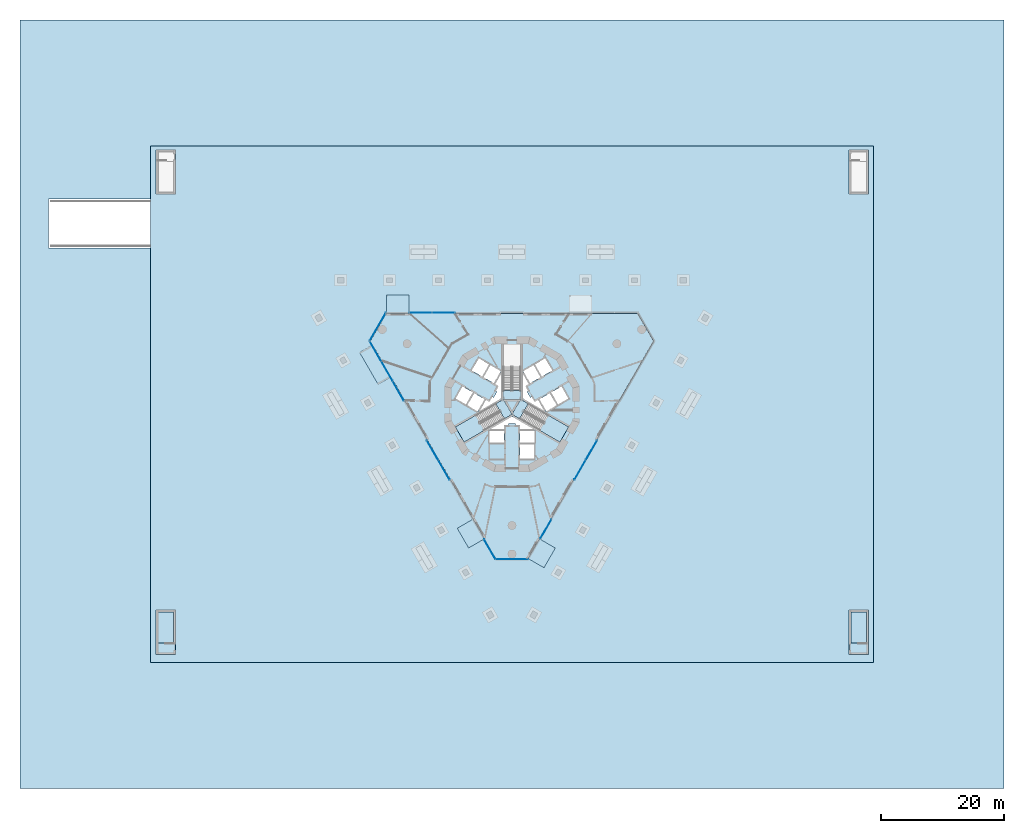
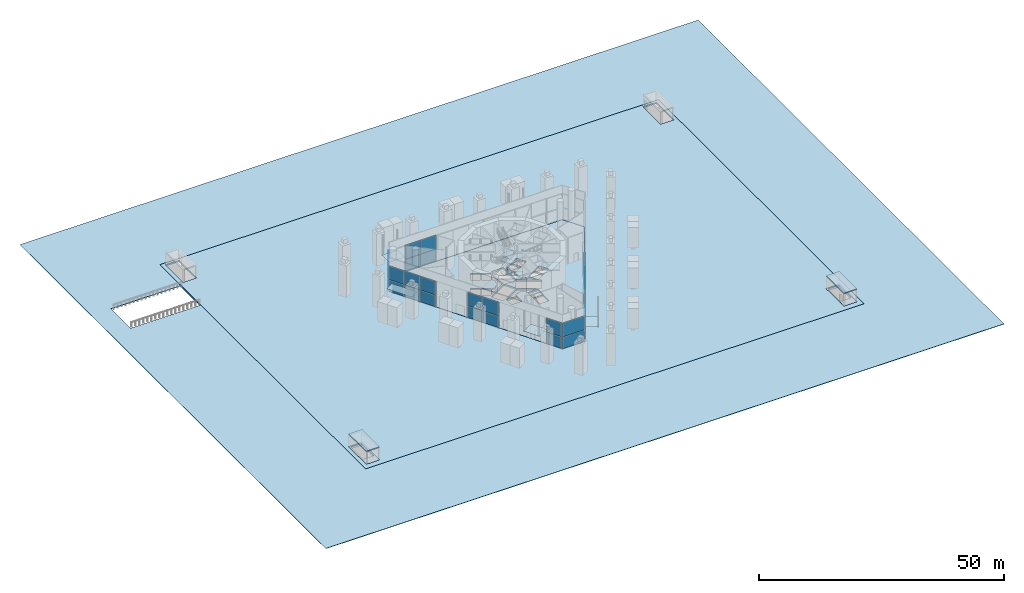
# One storey, part 4 of 26: 30 plates, 17 slabs, 11 elements without a shape of their own.
"""IFC4 building model written with IfcOpenShell, lengths in metres."""

from ifc_helpers import new_model, si_unit, direction, frame, origin, origin_2d, place, context, subcontext, project, spatial, polyline, rectangle, outline, extrude, material, layer, layer_set, type_object, element, aggregate, save


model = new_model("IFC4")

# Units and contexts
model_context = context("Model", 3, precision=1e-05, world=origin(), true_north=direction((0.0, 1.0)))
body_context = subcontext(model_context, "Body", "Model", "MODEL_VIEW")
ifc_project = project(units=[si_unit("LENGTHUNIT", "METRE"), si_unit("AREAUNIT", "SQUARE_METRE"), si_unit("VOLUMEUNIT", "CUBIC_METRE"), si_unit("PLANEANGLEUNIT", "RADIAN"), si_unit("MASSUNIT", "GRAM", prefix="KILO")], contexts=[model_context])

# Site, building, storey
site_placement = place(None, origin())
site = spatial("IfcSite", under=ifc_project, at=site_placement, CompositionType="ELEMENT")
building_placement = place(site_placement, origin())
building = spatial("IfcBuilding", under=site, at=building_placement, Name="Trine Commons Tower", CompositionType="ELEMENT")
storey_placement = place(building_placement, origin())
storey = spatial("IfcBuildingStorey", under=building, at=storey_placement, Name="L00", CompositionType="ELEMENT", Elevation=0.0)

# Plates
ifc_material_1 = material(Name="Polycarbonate roof sheet")
ifc_layer_1 = layer(ifc_material_1, 0.02001953125)
ifc_layer_set_1 = layer_set([ifc_layer_1], Name="Polycarbonate roof sheet")
plate_type_1 = type_object("IfcPlateType", Name="Cycle shelter roof plate 20", PredefinedType="SHEET", material=ifc_layer_set_1)
plate_1_placement = place(storey_placement, frame((57.6767578125, 68.8955078125, 2.39990234375), z_axis=(0.0, 0.0, 1.0), x_axis=(-0.5, 0.866025403784, 0.0)))
element("IfcPlate", 1, at=plate_1_placement, inside=storey, type_object=plate_type_1, Name="Cycle shelter 1 roof", PredefinedType="SHEET", context=body_context, shape_type="SweptSolid", body=[
    extrude(rectangle(XDim=6.0, YDim=2.199951171875, at=origin_2d()), origin(), (0.0, 0.0, 1.0), 0.02001953125),
])
ifc_material_2 = material(Name="Laminated glass canopy plate", Category="glass")
ifc_layer_2 = layer(ifc_material_2, 0.030029296875)
ifc_layer_set_2 = layer_set([ifc_layer_2], Name="Laminated glass canopy plate")
plate_type_2 = type_object("IfcPlateType", Name="Entrance canopy glass 30", PredefinedType="SHEET", material=ifc_layer_set_2)
for number, where, z_axis, x_axis, name in (
    (2, (84.824951171875, 38.287841796875, 3.60009765625), (0.0, 0.0, 1.0), (-0.5, -0.866025403784, 0.0), "Entrance canopy E2"),
    (3, (73.319580078125, 41.501708984375, 3.60009765625), (0.0, 0.0, 1.0), (-0.5, 0.866025403784, 0.0), "Entrance canopy E3"),
    (4, (61.444091796875, 78.78466796875, 3.60009765625), (0.0, 0.0, 1.0), (1.0, 0.0, 0.0), "Entrance canopy E4"),
):
    element("IfcPlate", number, at=place(storey_placement, frame(where, z_axis=z_axis, x_axis=x_axis)), inside=storey, type_object=plate_type_2, Name=name, PredefinedType="SHEET", context=body_context, shape_type="SweptSolid", body=[
        extrude(rectangle(XDim=3.691162109375, YDim=3.0, at=origin_2d()), origin(), (0.0, 0.0, 1.0), 0.030029296875),
    ])

# Slabs
ifc_material_3 = material(Name="Concrete C50/60", Category="concrete")
ifc_layer_3 = layer(ifc_material_3, 0.39990234375)
ifc_layer_set_3 = layer_set([ifc_layer_3], Name="Concrete C50/60")
slab_type_1 = type_object("IfcSlabType", Name="Ground slab 400 mm, C50/60", PredefinedType="FLOOR", material=ifc_layer_set_3)
slab_1_placement = place(storey_placement, frame((0.0, 0.0, -0.39990234375)))
element("IfcSlab", 5, at=slab_1_placement, inside=storey, type_object=slab_type_1, Name="Ground slab (pavilion)", PredefinedType="FLOOR", context=body_context, shape_type="SweptSolid", body=[
    extrude(outline(polyline([(100.41162109375, 77.28466796875), (103.009521484375, 72.78466796875), (82.59814453125, 37.430908203125), (77.40185546875, 37.430908203125), (56.990478515625, 72.78466796875), (59.58837890625, 77.28466796875), (100.41162109375, 77.28466796875)]), holes=[polyline([(76.300048828125, 56.25), (78.699951171875, 56.25), (78.699951171875, 58.25), (76.300048828125, 58.25), (76.300048828125, 56.25)]), polyline([(81.14990234375, 59.10009765625), (81.300048828125, 58.449951171875), (83.56494140625, 58.449951171875), (80.0, 60.508056640625), (76.43505859375, 58.449951171875), (78.699951171875, 58.449951171875), (78.85009765625, 59.10009765625), (79.449951171875, 59.10009765625), (79.449951171875, 59.360107421875), (80.550048828125, 59.360107421875), (80.550048828125, 59.10009765625), (81.14990234375, 59.10009765625)]), polyline([(80.0, 60.8544921875), (84.4755859375, 58.2705078125), (85.900390625, 60.73876953125), (81.425048828125, 63.32275390625), (81.425048828125, 68.490478515625), (78.574951171875, 68.490478515625), (78.574951171875, 63.32275390625), (74.099609375, 60.73876953125), (75.5244140625, 58.2705078125), (80.0, 60.8544921875)]), polyline([(73.83740234375, 64.325927734375), (72.687255859375, 62.333984375), (74.41943359375, 61.333984375), (75.5693359375, 63.325927734375), (73.83740234375, 64.325927734375)]), polyline([(71.93212890625, 65.426025390625), (70.781982421875, 63.43408203125), (72.51416015625, 62.43408203125), (73.6640625, 64.426025390625), (71.93212890625, 65.426025390625)]), polyline([(76.781005859375, 63.722900390625), (76.381103515625, 63.031005859375), (75.742919921875, 63.22607421875), (74.7099609375, 61.43798828125), (78.27490234375, 63.49609375), (78.27490234375, 67.612060546875), (77.242919921875, 65.823974609375), (77.73095703125, 65.368896484375), (77.3310546875, 64.676025390625), (77.555908203125, 64.5458984375), (77.006103515625, 63.593994140625), (76.781005859375, 63.722900390625)]), polyline([(76.4873046875, 68.916015625), (75.33740234375, 66.924072265625), (77.0693359375, 65.924072265625), (78.219482421875, 67.916015625), (76.4873046875, 68.916015625)]), polyline([(74.58203125, 70.015869140625), (73.43212890625, 68.02392578125), (75.1640625, 67.02392578125), (76.314208984375, 69.015869140625), (74.58203125, 70.015869140625)]), polyline([(81.300048828125, 53.64990234375), (83.60009765625, 53.64990234375), (83.60009765625, 56.050048828125), (81.300048828125, 56.050048828125), (81.300048828125, 53.64990234375)]), polyline([(81.300048828125, 56.25), (83.699951171875, 56.25), (83.699951171875, 58.25), (81.300048828125, 58.25), (81.300048828125, 56.25)]), polyline([(87.312744140625, 62.333984375), (86.16259765625, 64.325927734375), (84.4306640625, 63.325927734375), (85.58056640625, 61.333984375), (87.312744140625, 62.333984375)]), polyline([(89.218017578125, 63.43408203125), (88.06787109375, 65.426025390625), (86.3359375, 64.426025390625), (87.48583984375, 62.43408203125), (89.218017578125, 63.43408203125)]), polyline([(83.243896484375, 63.738037109375), (82.993896484375, 63.593994140625), (82.444091796875, 64.5458984375), (82.72705078125, 64.7099609375), (82.281005859375, 65.549072265625), (82.757080078125, 65.823974609375), (81.72509765625, 67.612060546875), (81.72509765625, 63.49609375), (85.2900390625, 61.43798828125), (84.257080078125, 63.22607421875), (83.618896484375, 63.031005859375), (83.243896484375, 63.738037109375)]), polyline([(82.9306640625, 65.924072265625), (84.66259765625, 66.924072265625), (83.5126953125, 68.916015625), (81.780517578125, 67.916015625), (82.9306640625, 65.924072265625)]), polyline([(84.8359375, 67.02392578125), (86.56787109375, 68.02392578125), (85.41796875, 70.015869140625), (83.685791015625, 69.015869140625), (84.8359375, 67.02392578125)])]), origin(), (0.0, 0.0, 1.0), 0.39990234375),
])
slab_2_placement = place(storey_placement, frame((0.0, 0.0, -0.39990234375)))
element("IfcSlab", 6, at=slab_2_placement, inside=storey, type_object=slab_type_1, Name="Ground slab (pavilion)", PredefinedType="FLOOR", context=body_context, shape_type="SweptSolid", body=[
    extrude(outline(polyline([(81.38671875, 63.300537109375), (80.0, 60.89892578125), (78.61328125, 63.300537109375), (81.38671875, 63.300537109375)])), origin(), (0.0, 0.0, 1.0), 0.39990234375),
])

# Curtain wall, plates
ifc_material_4 = material(Name="Ground pavilion glazing: stainless steel grade 1.4401 (aisi 316) frame with laminated low-iron glass unit", Category="steel")
ifc_layer_4 = layer(ifc_material_4, 0.25)
ifc_layer_set_4 = layer_set([ifc_layer_4], Name="Ground pavilion glazing: stainless steel grade 1.4401 (aisi 316) frame with laminated low-iron glass unit")
curtain_wall_type = type_object("IfcCurtainWallType", Name="Ground pavilion glazing curtain wall CW4", PredefinedType="NOTDEFINED", material=ifc_layer_set_4)
curtain_wall_1_placement = place(storey_placement, origin())
curtain_wall_1 = element("IfcCurtainWall", 7, at=curtain_wall_1_placement, inside=storey, type_object=curtain_wall_type, Name="Pavilion glazing C1.1", PredefinedType="NOTDEFINED")
ifc_material_5 = material(Name="Laminated low-iron glass unit", Category="glass")
ifc_layer_5 = layer(ifc_material_5, 0.035888671875)
ifc_layer_set_5 = layer_set([ifc_layer_5], Name="Laminated low-iron glass unit")
plate_type_3 = type_object("IfcPlateType", Name="Laminated glazed unit 36 mm", PredefinedType="CURTAIN_PANEL", material=ifc_layer_set_5)
plate_2_placement = place(storey_placement, frame((58.18115234375, 75.09716796875, 0.08984375), z_axis=(0.0, 0.0, 1.0), x_axis=(0.5, 0.866025403784, 0.0)))
plate_2 = element("IfcPlate", 8, at=plate_2_placement, type_object=plate_type_3, Name="CW4 panel 1.1", PredefinedType="CURTAIN_PANEL", context=body_context, shape_type="SweptSolid", body=[
    extrude(rectangle(XDim=5.220458984375, YDim=0.035888671875, at=origin_2d()), origin(), (0.0, 0.0, 1.0), 2.864990234375),
])
plate_3_placement = place(storey_placement, frame((58.18115234375, 75.09716796875, 3.044921875), z_axis=(0.0, 0.0, 1.0), x_axis=(0.5, 0.866025403784, 0.0)))
plate_3 = element("IfcPlate", 9, at=plate_3_placement, type_object=plate_type_3, Name="CW4 panel 1.2", PredefinedType="CURTAIN_PANEL", context=body_context, shape_type="SweptSolid", body=[
    extrude(rectangle(XDim=5.220458984375, YDim=0.035888671875, at=origin_2d()), origin(), (0.0, 0.0, 1.0), 3.465087890625),
])
aggregate(curtain_wall_1, [plate_2, plate_3])

curtain_wall_2_placement = place(storey_placement, origin())
curtain_wall_2 = element("IfcCurtainWall", 10, at=curtain_wall_2_placement, inside=storey, type_object=curtain_wall_type, Name="Pavilion glazing F1.1", PredefinedType="NOTDEFINED")
plate_4_placement = place(storey_placement, frame((65.170166015625, 77.40966796875, 0.08984375), z_axis=(0.0, 0.0, 1.0), x_axis=(1.0, 0.0, 0.0)))
plate_4 = element("IfcPlate", 11, at=plate_4_placement, type_object=plate_type_3, Name="CW4 panel 1.1", PredefinedType="CURTAIN_PANEL", context=body_context, shape_type="SweptSolid", body=[
    extrude(rectangle(XDim=3.62109375, YDim=0.035888671875, at=origin_2d()), origin(), (0.0, 0.0, 1.0), 2.864990234375),
])
plate_5_placement = place(storey_placement, frame((65.170166015625, 77.40966796875, 3.044921875), z_axis=(0.0, 0.0, 1.0), x_axis=(1.0, 0.0, 0.0)))
plate_5 = element("IfcPlate", 12, at=plate_5_placement, type_object=plate_type_3, Name="CW4 panel 1.2", PredefinedType="CURTAIN_PANEL", context=body_context, shape_type="SweptSolid", body=[
    extrude(rectangle(XDim=3.62109375, YDim=0.035888671875, at=origin_2d()), origin(), (0.0, 0.0, 1.0), 3.465087890625),
])
plate_6_placement = place(storey_placement, frame((68.851318359375, 77.40966796875, 0.08984375), z_axis=(0.0, 0.0, 1.0), x_axis=(1.0, 0.0, 0.0)))
plate_6 = element("IfcPlate", 13, at=plate_6_placement, type_object=plate_type_3, Name="CW4 panel 2.1", PredefinedType="CURTAIN_PANEL", context=body_context, shape_type="SweptSolid", body=[
    extrude(rectangle(XDim=3.62109375, YDim=0.035888671875, at=origin_2d()), origin(), (0.0, 0.0, 1.0), 2.864990234375),
])
plate_7_placement = place(storey_placement, frame((68.851318359375, 77.40966796875, 3.044921875), z_axis=(0.0, 0.0, 1.0), x_axis=(1.0, 0.0, 0.0)))
plate_7 = element("IfcPlate", 14, at=plate_7_placement, type_object=plate_type_3, Name="CW4 panel 2.2", PredefinedType="CURTAIN_PANEL", context=body_context, shape_type="SweptSolid", body=[
    extrude(rectangle(XDim=3.62109375, YDim=0.035888671875, at=origin_2d()), origin(), (0.0, 0.0, 1.0), 3.465087890625),
])
aggregate(curtain_wall_2, [plate_4, plate_5, plate_6, plate_7])

curtain_wall_3_placement = place(storey_placement, origin())
curtain_wall_3 = element("IfcCurtainWall", 15, at=curtain_wall_3_placement, inside=storey, type_object=curtain_wall_type, Name="Pavilion glazing F2.2", PredefinedType="NOTDEFINED")
plate_8_placement = place(storey_placement, frame((92.904541015625, 55.0322265625, 0.08984375), z_axis=(0.0, 0.0, 1.0), x_axis=(-0.5, -0.866025403784, 0.0)))
plate_8 = element("IfcPlate", 16, at=plate_8_placement, type_object=plate_type_3, Name="CW4 panel 1.1", PredefinedType="CURTAIN_PANEL", context=body_context, shape_type="SweptSolid", body=[
    extrude(rectangle(XDim=3.62109375, YDim=0.035888671875, at=origin_2d()), origin(), (0.0, 0.0, 1.0), 2.864990234375),
])
plate_9_placement = place(storey_placement, frame((92.904541015625, 55.0322265625, 3.044921875), z_axis=(0.0, 0.0, 1.0), x_axis=(-0.5, -0.866025403784, 0.0)))
plate_9 = element("IfcPlate", 17, at=plate_9_placement, type_object=plate_type_3, Name="CW4 panel 1.2", PredefinedType="CURTAIN_PANEL", context=body_context, shape_type="SweptSolid", body=[
    extrude(rectangle(XDim=3.62109375, YDim=0.035888671875, at=origin_2d()), origin(), (0.0, 0.0, 1.0), 3.465087890625),
])
plate_10_placement = place(storey_placement, frame((91.06396484375, 51.84423828125, 0.08984375), z_axis=(0.0, 0.0, 1.0), x_axis=(-0.5, -0.866025403784, 0.0)))
plate_10 = element("IfcPlate", 18, at=plate_10_placement, type_object=plate_type_3, Name="CW4 panel 2.1", PredefinedType="CURTAIN_PANEL", context=body_context, shape_type="SweptSolid", body=[
    extrude(rectangle(XDim=3.62109375, YDim=0.035888671875, at=origin_2d()), origin(), (0.0, 0.0, 1.0), 2.864990234375),
])
plate_11_placement = place(storey_placement, frame((91.06396484375, 51.84423828125, 3.044921875), z_axis=(0.0, 0.0, 1.0), x_axis=(-0.5, -0.866025403784, 0.0)))
plate_11 = element("IfcPlate", 19, at=plate_11_placement, type_object=plate_type_3, Name="CW4 panel 2.2", PredefinedType="CURTAIN_PANEL", context=body_context, shape_type="SweptSolid", body=[
    extrude(rectangle(XDim=3.62109375, YDim=0.035888671875, at=origin_2d()), origin(), (0.0, 0.0, 1.0), 3.465087890625),
])
aggregate(curtain_wall_3, [plate_8, plate_9, plate_10, plate_11])

curtain_wall_4_placement = place(storey_placement, origin())
curtain_wall_4 = element("IfcCurtainWall", 20, at=curtain_wall_4_placement, inside=storey, type_object=curtain_wall_type, Name="Pavilion glazing F2.3", PredefinedType="NOTDEFINED")
plate_12_placement = place(storey_placement, frame((85.48974609375, 42.189208984375, 0.08984375), z_axis=(0.0, 0.0, 1.0), x_axis=(-0.5, -0.866025403784, 0.0)))
plate_12 = element("IfcPlate", 21, at=plate_12_placement, type_object=plate_type_3, Name="CW4 panel 1.1", PredefinedType="CURTAIN_PANEL", context=body_context, shape_type="SweptSolid", body=[
    extrude(rectangle(XDim=3.59130859375, YDim=0.035888671875, at=origin_2d()), origin(), (0.0, 0.0, 1.0), 2.864990234375),
])
plate_13_placement = place(storey_placement, frame((85.48974609375, 42.189208984375, 3.044921875), z_axis=(0.0, 0.0, 1.0), x_axis=(-0.5, -0.866025403784, 0.0)))
plate_13 = element("IfcPlate", 22, at=plate_13_placement, type_object=plate_type_3, Name="CW4 panel 1.2", PredefinedType="CURTAIN_PANEL", context=body_context, shape_type="SweptSolid", body=[
    extrude(rectangle(XDim=3.59130859375, YDim=0.035888671875, at=origin_2d()), origin(), (0.0, 0.0, 1.0), 3.465087890625),
])
aggregate(curtain_wall_4, [plate_12, plate_13])

curtain_wall_5_placement = place(storey_placement, origin())
curtain_wall_5 = element("IfcCurtainWall", 23, at=curtain_wall_5_placement, inside=storey, type_object=curtain_wall_type, Name="Pavilion glazing C3.1", PredefinedType="NOTDEFINED")
plate_14_placement = place(storey_placement, frame((80.0, 37.305908203125, 0.08984375), z_axis=(0.0, 0.0, 1.0), x_axis=(-1.0, 0.0, 0.0)))
plate_14 = element("IfcPlate", 24, at=plate_14_placement, type_object=plate_type_3, Name="CW4 panel 1.1", PredefinedType="CURTAIN_PANEL", context=body_context, shape_type="SweptSolid", body=[
    extrude(rectangle(XDim=5.220458984375, YDim=0.035888671875, at=origin_2d()), origin(), (0.0, 0.0, 1.0), 2.864990234375),
])
plate_15_placement = place(storey_placement, frame((80.0, 37.305908203125, 3.044921875), z_axis=(0.0, 0.0, 1.0), x_axis=(-1.0, 0.0, 0.0)))
plate_15 = element("IfcPlate", 25, at=plate_15_placement, type_object=plate_type_3, Name="CW4 panel 1.2", PredefinedType="CURTAIN_PANEL", context=body_context, shape_type="SweptSolid", body=[
    extrude(rectangle(XDim=5.220458984375, YDim=0.035888671875, at=origin_2d()), origin(), (0.0, 0.0, 1.0), 3.465087890625),
])
aggregate(curtain_wall_5, [plate_14, plate_15])

curtain_wall_6_placement = place(storey_placement, origin())
curtain_wall_6 = element("IfcCurtainWall", 26, at=curtain_wall_6_placement, inside=storey, type_object=curtain_wall_type, Name="Pavilion glazing F3.1", PredefinedType="NOTDEFINED")
plate_16_placement = place(storey_placement, frame((76.3837890625, 38.944091796875, 0.08984375), z_axis=(0.0, 0.0, 1.0), x_axis=(-0.5, 0.866025403784, 0.0)))
plate_16 = element("IfcPlate", 27, at=plate_16_placement, type_object=plate_type_3, Name="CW4 panel 1.1", PredefinedType="CURTAIN_PANEL", context=body_context, shape_type="SweptSolid", body=[
    extrude(rectangle(XDim=3.663330078125, YDim=0.035888671875, at=origin_2d()), origin(), (0.0, 0.0, 1.0), 2.864990234375),
])
plate_17_placement = place(storey_placement, frame((76.3837890625, 38.944091796875, 3.044921875), z_axis=(0.0, 0.0, 1.0), x_axis=(-0.5, 0.866025403784, 0.0)))
plate_17 = element("IfcPlate", 28, at=plate_17_placement, type_object=plate_type_3, Name="CW4 panel 1.2", PredefinedType="CURTAIN_PANEL", context=body_context, shape_type="SweptSolid", body=[
    extrude(rectangle(XDim=3.663330078125, YDim=0.035888671875, at=origin_2d()), origin(), (0.0, 0.0, 1.0), 3.465087890625),
])
aggregate(curtain_wall_6, [plate_16, plate_17])

curtain_wall_7_placement = place(storey_placement, origin())
curtain_wall_7 = element("IfcCurtainWall", 29, at=curtain_wall_7_placement, inside=storey, type_object=curtain_wall_type, Name="Pavilion glazing F3.2", PredefinedType="NOTDEFINED")
plate_18_placement = place(storey_placement, frame((68.93603515625, 51.84423828125, 0.08984375), z_axis=(0.0, 0.0, 1.0), x_axis=(-0.5, 0.866025403784, 0.0)))
plate_18 = element("IfcPlate", 30, at=plate_18_placement, type_object=plate_type_3, Name="CW4 panel 1.1", PredefinedType="CURTAIN_PANEL", context=body_context, shape_type="SweptSolid", body=[
    extrude(rectangle(XDim=3.62109375, YDim=0.035888671875, at=origin_2d()), origin(), (0.0, 0.0, 1.0), 2.864990234375),
])
plate_19_placement = place(storey_placement, frame((68.93603515625, 51.84423828125, 3.044921875), z_axis=(0.0, 0.0, 1.0), x_axis=(-0.5, 0.866025403784, 0.0)))
plate_19 = element("IfcPlate", 31, at=plate_19_placement, type_object=plate_type_3, Name="CW4 panel 1.2", PredefinedType="CURTAIN_PANEL", context=body_context, shape_type="SweptSolid", body=[
    extrude(rectangle(XDim=3.62109375, YDim=0.035888671875, at=origin_2d()), origin(), (0.0, 0.0, 1.0), 3.465087890625),
])
plate_20_placement = place(storey_placement, frame((67.095458984375, 55.0322265625, 0.08984375), z_axis=(0.0, 0.0, 1.0), x_axis=(-0.5, 0.866025403784, 0.0)))
plate_20 = element("IfcPlate", 32, at=plate_20_placement, type_object=plate_type_3, Name="CW4 panel 2.1", PredefinedType="CURTAIN_PANEL", context=body_context, shape_type="SweptSolid", body=[
    extrude(rectangle(XDim=3.62109375, YDim=0.035888671875, at=origin_2d()), origin(), (0.0, 0.0, 1.0), 2.864990234375),
])
plate_21_placement = place(storey_placement, frame((67.095458984375, 55.0322265625, 3.044921875), z_axis=(0.0, 0.0, 1.0), x_axis=(-0.5, 0.866025403784, 0.0)))
plate_21 = element("IfcPlate", 33, at=plate_21_placement, type_object=plate_type_3, Name="CW4 panel 2.2", PredefinedType="CURTAIN_PANEL", context=body_context, shape_type="SweptSolid", body=[
    extrude(rectangle(XDim=3.62109375, YDim=0.035888671875, at=origin_2d()), origin(), (0.0, 0.0, 1.0), 3.465087890625),
])
aggregate(curtain_wall_7, [plate_18, plate_19, plate_20, plate_21])

curtain_wall_8_placement = place(storey_placement, origin())
curtain_wall_8 = element("IfcCurtainWall", 34, at=curtain_wall_8_placement, inside=storey, type_object=curtain_wall_type, Name="Pavilion glazing F3.3", PredefinedType="NOTDEFINED")
plate_22_placement = place(storey_placement, frame((61.513671875, 64.7001953125, 0.08984375), z_axis=(0.0, 0.0, 1.0), x_axis=(-0.5, 0.866025403784, 0.0)))
plate_22 = element("IfcPlate", 35, at=plate_22_placement, type_object=plate_type_3, Name="CW4 panel 1.1", PredefinedType="CURTAIN_PANEL", context=body_context, shape_type="SweptSolid", body=[
    extrude(rectangle(XDim=3.62109375, YDim=0.035888671875, at=origin_2d()), origin(), (0.0, 0.0, 1.0), 2.864990234375),
])
plate_23_placement = place(storey_placement, frame((61.513671875, 64.7001953125, 3.044921875), z_axis=(0.0, 0.0, 1.0), x_axis=(-0.5, 0.866025403784, 0.0)))
plate_23 = element("IfcPlate", 36, at=plate_23_placement, type_object=plate_type_3, Name="CW4 panel 1.2", PredefinedType="CURTAIN_PANEL", context=body_context, shape_type="SweptSolid", body=[
    extrude(rectangle(XDim=3.62109375, YDim=0.035888671875, at=origin_2d()), origin(), (0.0, 0.0, 1.0), 3.465087890625),
])
plate_24_placement = place(storey_placement, frame((59.66552734375, 67.901123046875, 0.08984375), z_axis=(0.0, 0.0, 1.0), x_axis=(-0.5, 0.866025403784, 0.0)))
plate_24 = element("IfcPlate", 37, at=plate_24_placement, type_object=plate_type_3, Name="CW4 panel 2.1", PredefinedType="CURTAIN_PANEL", context=body_context, shape_type="SweptSolid", body=[
    extrude(rectangle(XDim=3.651123046875, YDim=0.035888671875, at=origin_2d()), origin(), (0.0, 0.0, 1.0), 2.864990234375),
])
plate_25_placement = place(storey_placement, frame((59.66552734375, 67.901123046875, 3.044921875), z_axis=(0.0, 0.0, 1.0), x_axis=(-0.5, 0.866025403784, 0.0)))
plate_25 = element("IfcPlate", 38, at=plate_25_placement, type_object=plate_type_3, Name="CW4 panel 2.2", PredefinedType="CURTAIN_PANEL", context=body_context, shape_type="SweptSolid", body=[
    extrude(rectangle(XDim=3.651123046875, YDim=0.035888671875, at=origin_2d()), origin(), (0.0, 0.0, 1.0), 3.465087890625),
])
plate_26_placement = place(storey_placement, frame((57.79931640625, 71.13330078125, 0.08984375), z_axis=(0.0, 0.0, 1.0), x_axis=(-0.5, 0.866025403784, 0.0)))
plate_26 = element("IfcPlate", 39, at=plate_26_placement, type_object=plate_type_3, Name="CW4 panel 3.1", PredefinedType="CURTAIN_PANEL", context=body_context, shape_type="SweptSolid", body=[
    extrude(rectangle(XDim=3.693359375, YDim=0.035888671875, at=origin_2d()), origin(), (0.0, 0.0, 1.0), 2.864990234375),
])
plate_27_placement = place(storey_placement, frame((57.79931640625, 71.13330078125, 3.044921875), z_axis=(0.0, 0.0, 1.0), x_axis=(-0.5, 0.866025403784, 0.0)))
plate_27 = element("IfcPlate", 40, at=plate_27_placement, type_object=plate_type_3, Name="CW4 panel 3.2", PredefinedType="CURTAIN_PANEL", context=body_context, shape_type="SweptSolid", body=[
    extrude(rectangle(XDim=3.693359375, YDim=0.035888671875, at=origin_2d()), origin(), (0.0, 0.0, 1.0), 3.465087890625),
])
aggregate(curtain_wall_8, [plate_22, plate_23, plate_24, plate_25, plate_26, plate_27])

# Slabs
ifc_layer_6 = layer(ifc_material_3, 0.300048828125)
ifc_layer_set_6 = layer_set([ifc_layer_6], Name="Concrete C50/60")
slab_type_2 = type_object("IfcSlabType", Name="Plaza deck slab 300 mm, C50/60", PredefinedType="FLOOR", material=ifc_layer_set_6)
slab_3_placement = place(storey_placement, frame((0.0, 0.0, -0.39990234375)))
element("IfcSlab", 41, at=slab_3_placement, inside=storey, type_object=slab_type_2, Name="Plaza deck slab", PredefinedType="FLOOR", context=body_context, shape_type="SweptSolid", body=[
    extrude(outline(polyline([(21.199951171875, 20.5), (21.199951171875, 104.5), (138.800048828125, 104.5), (138.800048828125, 20.5), (21.199951171875, 20.5)]), holes=[polyline([(22.14990234375, 21.85009765625), (25.300048828125, 21.85009765625), (25.300048828125, 29.070068359375), (22.14990234375, 29.070068359375), (22.14990234375, 21.85009765625)]), polyline([(134.800048828125, 21.85009765625), (137.949951171875, 21.85009765625), (137.949951171875, 29.070068359375), (134.800048828125, 29.070068359375), (134.800048828125, 21.85009765625)]), polyline([(100.41162109375, 77.28466796875), (59.58837890625, 77.28466796875), (56.990478515625, 72.78466796875), (77.40185546875, 37.430908203125), (82.59814453125, 37.430908203125), (103.009521484375, 72.78466796875), (100.41162109375, 77.28466796875)]), polyline([(25.300048828125, 96.679931640625), (25.300048828125, 103.89990234375), (22.14990234375, 103.89990234375), (22.14990234375, 96.679931640625), (25.300048828125, 96.679931640625)]), polyline([(137.949951171875, 96.679931640625), (137.949951171875, 103.89990234375), (134.800048828125, 103.89990234375), (134.800048828125, 96.679931640625), (137.949951171875, 96.679931640625)])]), origin(), (0.0, 0.0, 1.0), 0.2998046875),
])
ifc_material_6 = material(Name="Granite paving slabs", Category="masonry")
ifc_layer_7 = layer(ifc_material_6, 0.10009765625)
ifc_layer_set_7 = layer_set([ifc_layer_7], Name="Granite paving slabs")
slab_type_3 = type_object("IfcSlabType", Name="Plaza paving 100 mm, granite setts on bedding", PredefinedType="USERDEFINED", material=ifc_layer_set_7)
slab_4_placement = place(storey_placement, frame((0.0, 0.0, -0.10009765625)))
element("IfcSlab", 42, at=slab_4_placement, inside=storey, type_object=slab_type_3, Name="Plaza paving deck 1", ObjectType="PAVING", PredefinedType="USERDEFINED", context=body_context, shape_type="SweptSolid", body=[
    extrude(outline(polyline([(21.199951171875, 104.5), (21.199951171875, 20.5), (138.800048828125, 20.5), (138.800048828125, 104.5), (21.199951171875, 104.5)]), holes=[polyline([(82.59814453125, 37.430908203125), (103.009521484375, 72.78466796875), (100.41162109375, 77.28466796875), (59.58837890625, 77.28466796875), (56.990478515625, 72.78466796875), (77.40185546875, 37.430908203125), (82.59814453125, 37.430908203125)]), polyline([(22.14990234375, 21.85009765625), (25.300048828125, 21.85009765625), (25.300048828125, 29.070068359375), (22.14990234375, 29.070068359375), (22.14990234375, 21.85009765625)]), polyline([(134.800048828125, 21.85009765625), (137.949951171875, 21.85009765625), (137.949951171875, 29.070068359375), (134.800048828125, 29.070068359375), (134.800048828125, 21.85009765625)]), polyline([(25.300048828125, 103.89990234375), (22.14990234375, 103.89990234375), (22.14990234375, 96.679931640625), (25.300048828125, 96.679931640625), (25.300048828125, 103.89990234375)]), polyline([(137.949951171875, 103.89990234375), (134.800048828125, 103.89990234375), (134.800048828125, 96.679931640625), (137.949951171875, 96.679931640625), (137.949951171875, 103.89990234375)])]), origin(), (0.0, 0.0, 1.0), 0.10009765625),
])
slab_5_placement = place(storey_placement, frame((0.0, 0.0, -0.10009765625)))
element("IfcSlab", 43, at=slab_5_placement, inside=storey, type_object=slab_type_3, Name="Plaza paving grade 1", ObjectType="PAVING", PredefinedType="USERDEFINED", context=body_context, shape_type="SweptSolid", body=[
    extrude(outline(polyline([(0.0, 125.0), (0.0, 0.0), (160.0, 0.0), (160.0, 125.0), (0.0, 125.0)]), holes=[polyline([(21.199951171875, 104.5), (21.199951171875, 95.89990234375), (4.64990234375, 95.89990234375), (4.64990234375, 87.89990234375), (21.199951171875, 87.89990234375), (21.199951171875, 20.5), (138.800048828125, 20.5), (138.800048828125, 104.5), (21.199951171875, 104.5)])]), origin(), (0.0, 0.0, 1.0), 0.10009765625),
])
ifc_layer_8 = layer(ifc_material_3, 0.5)
ifc_layer_set_8 = layer_set([ifc_layer_8], Name="Concrete C50/60")
slab_type_4 = type_object("IfcSlabType", Name="Stair arrival slab 500 mm, C50/60", PredefinedType="LANDING", material=ifc_layer_set_8)
slab_6_placement = place(storey_placement, frame((0.0, 0.0, -0.5)))
element("IfcSlab", 44, at=slab_6_placement, inside=storey, type_object=slab_type_4, Name="Stair STB1 arrival slab", PredefinedType="LANDING", context=body_context, shape_type="SweptSolid", body=[
    extrude(outline(polyline([(22.14990234375, 21.85009765625), (22.14990234375, 29.070068359375), (25.300048828125, 29.070068359375), (25.300048828125, 21.85009765625), (22.14990234375, 21.85009765625)]), holes=[polyline([(25.0, 28.77001953125), (22.449951171875, 28.77001953125), (22.449951171875, 23.72998046875), (25.0, 23.72998046875), (25.0, 28.77001953125)])]), origin(), (0.0, 0.0, 1.0), 0.5),
])
slab_7_placement = place(storey_placement, frame((0.0, 0.0, -0.5)))
element("IfcSlab", 45, at=slab_7_placement, inside=storey, type_object=slab_type_4, Name="Stair STB2 arrival slab", PredefinedType="LANDING", context=body_context, shape_type="SweptSolid", body=[
    extrude(outline(polyline([(134.800048828125, 21.85009765625), (134.800048828125, 29.070068359375), (137.949951171875, 29.070068359375), (137.949951171875, 21.85009765625), (134.800048828125, 21.85009765625)]), holes=[polyline([(137.64990234375, 28.77001953125), (135.10009765625, 28.77001953125), (135.10009765625, 23.72998046875), (137.64990234375, 23.72998046875), (137.64990234375, 28.77001953125)])]), origin(), (0.0, 0.0, 1.0), 0.5),
])
ifc_layer_9 = layer(ifc_material_3, 0.25)
ifc_layer_set_9 = layer_set([ifc_layer_9], Name="Concrete C50/60")
slab_type_5 = type_object("IfcSlabType", Name="Stair head roof slab 250 mm, C50/60", PredefinedType="ROOF", material=ifc_layer_set_9)
slab_8_placement = place(storey_placement, frame((0.0, 0.0, 3.0)))
element("IfcSlab", 46, at=slab_8_placement, inside=storey, type_object=slab_type_5, Name="Stair STB1 head roof", PredefinedType="ROOF", context=body_context, shape_type="SweptSolid", body=[
    extrude(outline(polyline([(25.300048828125, 21.85009765625), (22.14990234375, 21.85009765625), (22.14990234375, 29.070068359375), (25.300048828125, 29.070068359375), (25.300048828125, 21.85009765625)])), origin(), (0.0, 0.0, 1.0), 0.25),
])
slab_9_placement = place(storey_placement, frame((0.0, 0.0, 3.0)))
element("IfcSlab", 47, at=slab_9_placement, inside=storey, type_object=slab_type_5, Name="Stair STB2 head roof", PredefinedType="ROOF", context=body_context, shape_type="SweptSolid", body=[
    extrude(outline(polyline([(137.949951171875, 21.85009765625), (134.800048828125, 21.85009765625), (134.800048828125, 29.070068359375), (137.949951171875, 29.070068359375), (137.949951171875, 21.85009765625)])), origin(), (0.0, 0.0, 1.0), 0.25),
])

# Stair, slabs
stair_type = type_object("IfcStairType", Name="Exit stair, dog-leg, 60 risers of 150 mm", PredefinedType="HALF_TURN_STAIR", material=ifc_material_3)
stair_1_placement = place(storey_placement, origin())
stair_1 = element("IfcStair", 48, at=stair_1_placement, inside=storey, type_object=stair_type, Name="L00 Exit stair ST1A", PredefinedType="HALF_TURN_STAIR")
ifc_layer_10 = layer(ifc_material_3, 0.199951171875)
ifc_layer_set_10 = layer_set([ifc_layer_10], Name="Concrete C50/60")
slab_type_6 = type_object("IfcSlabType", Name="Stair landing slab 200 mm, C50/60", PredefinedType="LANDING", material=ifc_layer_set_10)
slab_10_placement = place(storey_placement, frame((0.0, 0.0, 2.050048828125)))
slab_10 = element("IfcSlab", 49, at=slab_10_placement, type_object=slab_type_6, Name="ST1A landing 1", PredefinedType="LANDING", context=body_context, shape_type="SweptSolid", body=[
    extrude(outline(polyline([(78.574951171875, 64.730712890625), (78.574951171875, 63.300537109375), (81.425048828125, 63.300537109375), (81.425048828125, 64.730712890625), (78.574951171875, 64.730712890625)])), origin(), (0.0, 0.0, 1.0), 0.199951171875),
])
slab_11_placement = place(storey_placement, frame((0.0, 0.0, 6.550048828125)))
slab_11 = element("IfcSlab", 50, at=slab_11_placement, type_object=slab_type_6, Name="ST1A landing 3", PredefinedType="LANDING", context=body_context, shape_type="SweptSolid", body=[
    extrude(outline(polyline([(78.574951171875, 64.730712890625), (78.574951171875, 63.300537109375), (81.425048828125, 63.300537109375), (81.425048828125, 64.730712890625), (78.574951171875, 64.730712890625)])), origin(), (0.0, 0.0, 1.0), 0.199951171875),
])
aggregate(stair_1, [slab_10, slab_11])

stair_2_placement = place(storey_placement, origin())
stair_2 = element("IfcStair", 51, at=stair_2_placement, inside=storey, type_object=stair_type, Name="L00 Exit stair ST2A", PredefinedType="HALF_TURN_STAIR")
slab_12_placement = place(storey_placement, frame((0.0, 0.0, 2.050048828125)))
slab_12 = element("IfcSlab", 52, at=slab_12_placement, type_object=slab_type_6, Name="ST2A landing 1", PredefinedType="LANDING", context=body_context, shape_type="SweptSolid", body=[
    extrude(outline(polyline([(78.78076171875, 60.150634765625), (80.019287109375, 60.86572265625), (78.59423828125, 63.333740234375), (77.355712890625, 62.618896484375), (78.78076171875, 60.150634765625)])), origin(), (0.0, 0.0, 1.0), 0.199951171875),
])
slab_13_placement = place(storey_placement, frame((0.0, 0.0, 4.300048828125)))
slab_13 = element("IfcSlab", 53, at=slab_13_placement, type_object=slab_type_6, Name="ST2A landing 2", PredefinedType="LANDING", context=body_context, shape_type="SweptSolid", body=[
    extrude(outline(polyline([(72.21533203125, 56.360107421875), (75.5244140625, 58.2705078125), (74.099609375, 60.73876953125), (70.79052734375, 58.828369140625), (72.21533203125, 56.360107421875)])), origin(), (0.0, 0.0, 1.0), 0.199951171875),
])
slab_14_placement = place(storey_placement, frame((0.0, 0.0, 6.550048828125)))
slab_14 = element("IfcSlab", 54, at=slab_14_placement, type_object=slab_type_6, Name="ST2A landing 3", PredefinedType="LANDING", context=body_context, shape_type="SweptSolid", body=[
    extrude(outline(polyline([(78.78076171875, 60.150634765625), (80.019287109375, 60.86572265625), (78.59423828125, 63.333740234375), (77.355712890625, 62.618896484375), (78.78076171875, 60.150634765625)])), origin(), (0.0, 0.0, 1.0), 0.199951171875),
])
aggregate(stair_2, [slab_12, slab_13, slab_14])

stair_3_placement = place(storey_placement, origin())
stair_3 = element("IfcStair", 55, at=stair_3_placement, inside=storey, type_object=stair_type, Name="L00 Exit stair ST3A", PredefinedType="HALF_TURN_STAIR")
slab_15_placement = place(storey_placement, frame((0.0, 0.0, 2.050048828125)))
slab_15 = element("IfcSlab", 56, at=slab_15_placement, type_object=slab_type_6, Name="ST3A landing 1", PredefinedType="LANDING", context=body_context, shape_type="SweptSolid", body=[
    extrude(outline(polyline([(82.644287109375, 62.618896484375), (81.40576171875, 63.333740234375), (79.980712890625, 60.86572265625), (81.21923828125, 60.150634765625), (82.644287109375, 62.618896484375)])), origin(), (0.0, 0.0, 1.0), 0.199951171875),
])
slab_16_placement = place(storey_placement, frame((0.0, 0.0, 4.300048828125)))
slab_16 = element("IfcSlab", 57, at=slab_16_placement, type_object=slab_type_6, Name="ST3A landing 2", PredefinedType="LANDING", context=body_context, shape_type="SweptSolid", body=[
    extrude(outline(polyline([(89.20947265625, 58.828369140625), (85.900390625, 60.73876953125), (84.4755859375, 58.2705078125), (87.78466796875, 56.360107421875), (89.20947265625, 58.828369140625)])), origin(), (0.0, 0.0, 1.0), 0.199951171875),
])
slab_17_placement = place(storey_placement, frame((0.0, 0.0, 6.550048828125)))
slab_17 = element("IfcSlab", 58, at=slab_17_placement, type_object=slab_type_6, Name="ST3A landing 3", PredefinedType="LANDING", context=body_context, shape_type="SweptSolid", body=[
    extrude(outline(polyline([(82.644287109375, 62.618896484375), (81.40576171875, 63.333740234375), (79.980712890625, 60.86572265625), (81.21923828125, 60.150634765625), (82.644287109375, 62.618896484375)])), origin(), (0.0, 0.0, 1.0), 0.199951171875),
])
aggregate(stair_3, [slab_15, slab_16, slab_17])

save(model, "model.ifc")
